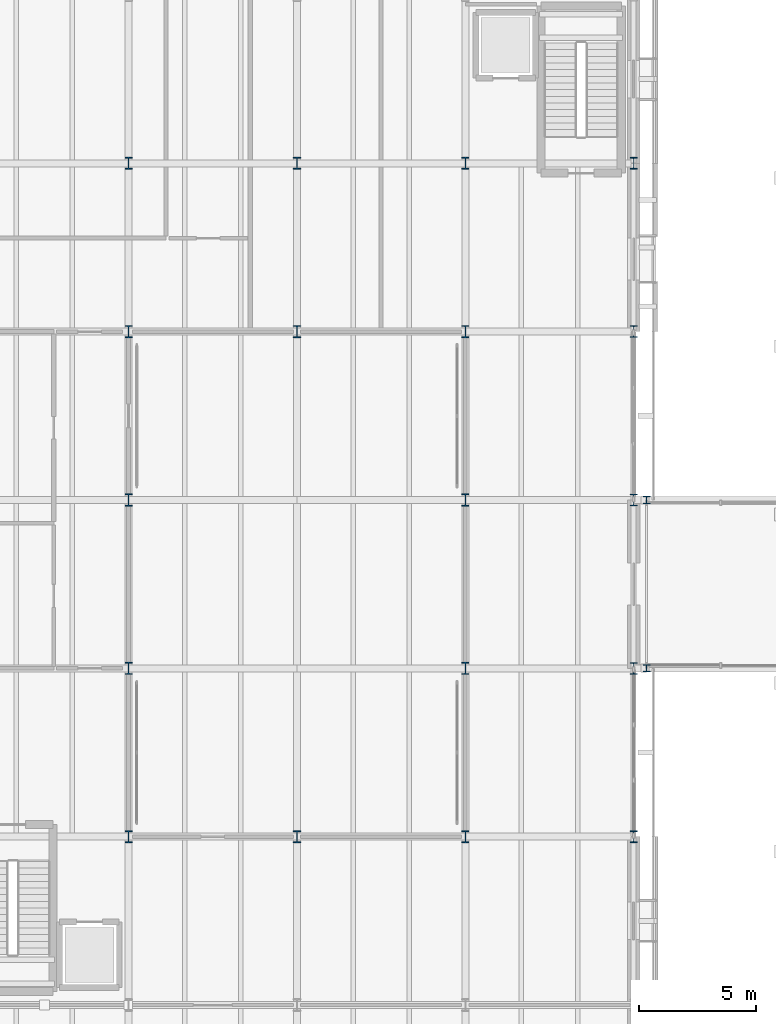
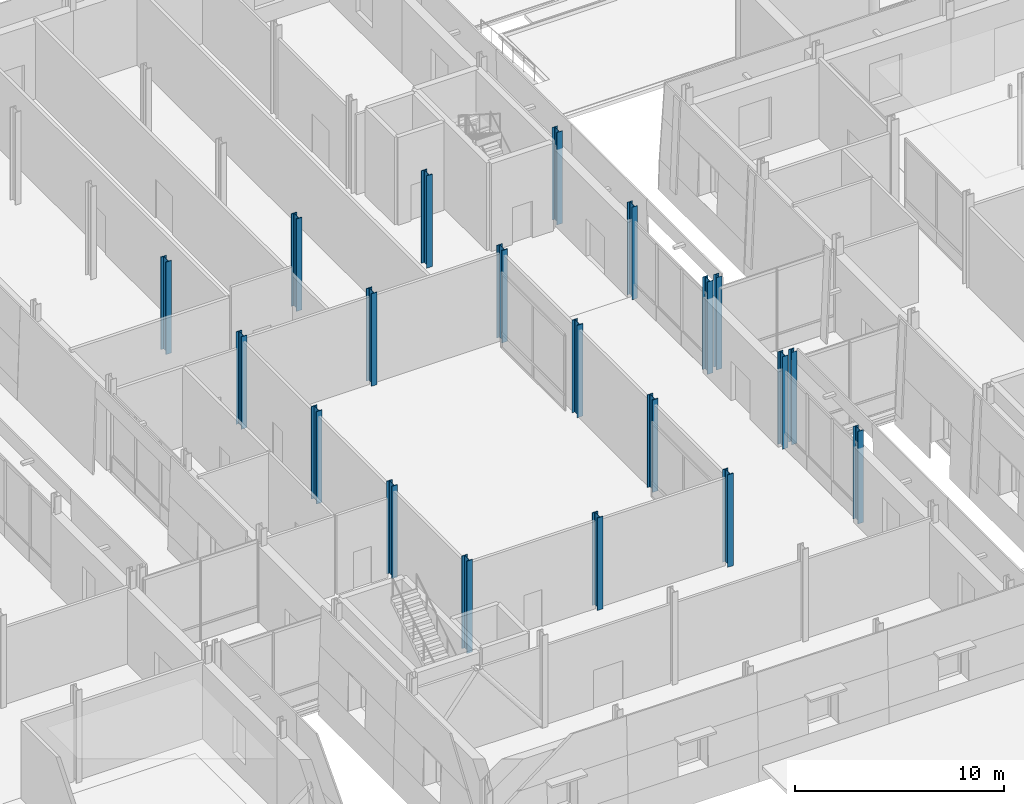
# One storey, part 9 of 120: 20 columns.
"""IFC4 building model written with IfcOpenShell, lengths in metres."""

from ifc_helpers import new_model, si_unit, direction, frame, origin, origin_2d, place, context, subcontext, project, spatial, i_section, extrude, material, material_profile, profile_set, type_object, element, save


model = new_model("IFC4")

# Units and contexts
model_context = context("Model", 3, precision=1e-05, world=origin(), true_north=direction((0.0, 1.0)))
body_context = subcontext(model_context, "Body", "Model", "MODEL_VIEW")
ifc_project = project(units=[si_unit("LENGTHUNIT", "METRE"), si_unit("AREAUNIT", "SQUARE_METRE"), si_unit("VOLUMEUNIT", "CUBIC_METRE"), si_unit("PLANEANGLEUNIT", "RADIAN"), si_unit("MASSUNIT", "GRAM", prefix="KILO")], contexts=[model_context])

# Site, building, storey
site_placement = place(None, origin())
site = spatial("IfcSite", under=ifc_project, at=site_placement, CompositionType="ELEMENT")
building_placement = place(site_placement, origin())
building = spatial("IfcBuilding", under=site, at=building_placement, Name="Narikvali Park Central Library", CompositionType="ELEMENT")
storey_placement = place(building_placement, origin())
storey = spatial("IfcBuildingStorey", under=building, at=storey_placement, Name="L00", CompositionType="ELEMENT", Elevation=0.0)

# Columns
ifc_material = material(Name="Steel S355", Category="steel")
ifc_material_profile_1 = material_profile(ifc_material, i_section(OverallWidth=0.305908203125, OverallDepth=0.52392578125, WebThickness=0.02099609375, FlangeThickness=0.0400390625, FilletRadius=0.027099609375, at=origin_2d()), Name="HEM 500")
ifc_profile_set_1 = profile_set([ifc_material_profile_1], Name="Steel S355")
column_type_1 = type_object("IfcColumnType", Name="Heavy Stack Column HEM500", PredefinedType="COLUMN", material=ifc_profile_set_1)
for number, where, z_axis, x_axis, name in (
    (1, (36.0, 64.800048828125, 0.0), (0.0, 0.0, 1.0), (1.0, 0.0, 0.0), "V4 L00 Column (36.0,64.8)"),
    (2, (36.0, 72.0, 0.0), (0.0, 0.0, 1.0), (1.0, 0.0, 0.0), "V4 L00 Column (36.0,72.0)"),
    (3, (36.0, 79.199951171875, 0.0), (0.0, 0.0, 1.0), (1.0, 0.0, 0.0), "V4 L00 Column (36.0,79.2)"),
    (4, (36.0, 86.39990234375, 0.0), (0.0, 0.0, 1.0), (1.0, 0.0, 0.0), "V4 L00 Column (36.0,86.4)"),
    (5, (36.0, 93.60009765625, 0.0), (0.0, 0.0, 1.0), (1.0, 0.0, 0.0), "V4 L00 Column (36.0,93.6)"),
    (6, (43.199951171875, 64.800048828125, 0.0), (0.0, 0.0, 1.0), (1.0, 0.0, 0.0), "V4 L00 Column (43.2,64.8)"),
    (7, (43.199951171875, 86.39990234375, 0.0), (0.0, 0.0, 1.0), (1.0, 0.0, 0.0), "V4 L00 Column (43.2,86.4)"),
    (8, (43.199951171875, 93.60009765625, 0.0), (0.0, 0.0, 1.0), (1.0, 0.0, 0.0), "V4 L00 Column (43.2,93.6)"),
    (9, (50.39990234375, 64.800048828125, 0.0), (0.0, 0.0, 1.0), (1.0, 0.0, 0.0), "V4 L00 Column (50.4,64.8)"),
    (10, (50.39990234375, 72.0, 0.0), (0.0, 0.0, 1.0), (1.0, 0.0, 0.0), "V4 L00 Column (50.4,72.0)"),
    (11, (50.39990234375, 79.199951171875, 0.0), (0.0, 0.0, 1.0), (1.0, 0.0, 0.0), "V4 L00 Column (50.4,79.2)"),
    (12, (50.39990234375, 86.39990234375, 0.0), (0.0, 0.0, 1.0), (1.0, 0.0, 0.0), "V4 L00 Column (50.4,86.4)"),
    (13, (50.39990234375, 93.60009765625, 0.0), (0.0, 0.0, 1.0), (1.0, 0.0, 0.0), "V4 L00 Column (50.4,93.6)"),
):
    element("IfcColumn", number, at=place(storey_placement, frame(where, z_axis=z_axis, x_axis=x_axis)), inside=storey, type_object=column_type_1, Name=name, PredefinedType="COLUMN", context=body_context, shape_type="SweptSolid", body=[
        extrude(i_section(OverallWidth=0.305908203125, OverallDepth=0.52392578125, WebThickness=0.02099609375, FlangeThickness=0.0400390625, FilletRadius=0.027099609375, at=origin_2d()), origin(), (0.0, 0.0, 1.0), 5.39990234375),
    ])
ifc_material_profile_2 = material_profile(ifc_material, i_section(OverallWidth=0.300048828125, OverallDepth=0.300048828125, WebThickness=0.010986328125, FlangeThickness=0.01904296875, FilletRadius=0.027099609375, at=origin_2d()), Name="HEB 300")
ifc_profile_set_2 = profile_set([ifc_material_profile_2], Name="Steel S355")
column_type_2 = type_object("IfcColumnType", Name="Steel Column HEB300", PredefinedType="COLUMN", material=ifc_profile_set_2)
for number, where, z_axis, x_axis, name in (
    (14, (58.14990234375, 72.0, 0.0), (0.0, 0.0, 1.0), (1.0, 0.0, 0.0), "BRG-2 Bridge Pier L00"),
    (15, (58.14990234375, 79.199951171875, 0.0), (0.0, 0.0, 1.0), (1.0, 0.0, 0.0), "BRG-2 Bridge Pier L00"),
):
    element("IfcColumn", number, at=place(storey_placement, frame(where, z_axis=z_axis, x_axis=x_axis)), inside=storey, type_object=column_type_2, Name=name, PredefinedType="COLUMN", context=body_context, shape_type="SweptSolid", body=[
        extrude(i_section(OverallWidth=0.300048828125, OverallDepth=0.300048828125, WebThickness=0.010986328125, FlangeThickness=0.01904296875, FilletRadius=0.027099609375, at=origin_2d()), origin(), (0.0, 0.0, 1.0), 5.39990234375),
    ])
ifc_material_profile_3 = material_profile(ifc_material, i_section(OverallWidth=0.300048828125, OverallDepth=0.5, WebThickness=0.014404296875, FlangeThickness=0.028076171875, FilletRadius=0.027099609375, at=origin_2d()), Name="HEB 500")
ifc_profile_set_3 = profile_set([ifc_material_profile_3], Name="Steel S355")
column_type_3 = type_object("IfcColumnType", Name="Steel Column HEB500", PredefinedType="COLUMN", material=ifc_profile_set_3)
for number, where, z_axis, x_axis, name in (
    (16, (57.60009765625, 64.800048828125, 0.0), (0.0, 0.0, 1.0), (1.0, 0.0, 0.0), "V4 L00 Column (57.6,64.8)"),
    (17, (57.60009765625, 72.0, 0.0), (0.0, 0.0, 1.0), (1.0, 0.0, 0.0), "V4 L00 Column (57.6,72.0)"),
    (18, (57.60009765625, 79.199951171875, 0.0), (0.0, 0.0, 1.0), (1.0, 0.0, 0.0), "V4 L00 Column (57.6,79.2)"),
    (19, (57.60009765625, 86.39990234375, 0.0), (0.0, 0.0, 1.0), (1.0, 0.0, 0.0), "V4 L00 Column (57.6,86.4)"),
    (20, (57.60009765625, 93.60009765625, 0.0), (0.0, 0.0, 1.0), (1.0, 0.0, 0.0), "V4 L00 Column (57.6,93.6)"),
):
    element("IfcColumn", number, at=place(storey_placement, frame(where, z_axis=z_axis, x_axis=x_axis)), inside=storey, type_object=column_type_3, Name=name, PredefinedType="COLUMN", context=body_context, shape_type="SweptSolid", body=[
        extrude(i_section(OverallWidth=0.300048828125, OverallDepth=0.5, WebThickness=0.014404296875, FlangeThickness=0.028076171875, FilletRadius=0.027099609375, at=origin_2d()), origin(), (0.0, 0.0, 1.0), 5.39990234375),
    ])

save(model, "model.ifc")
